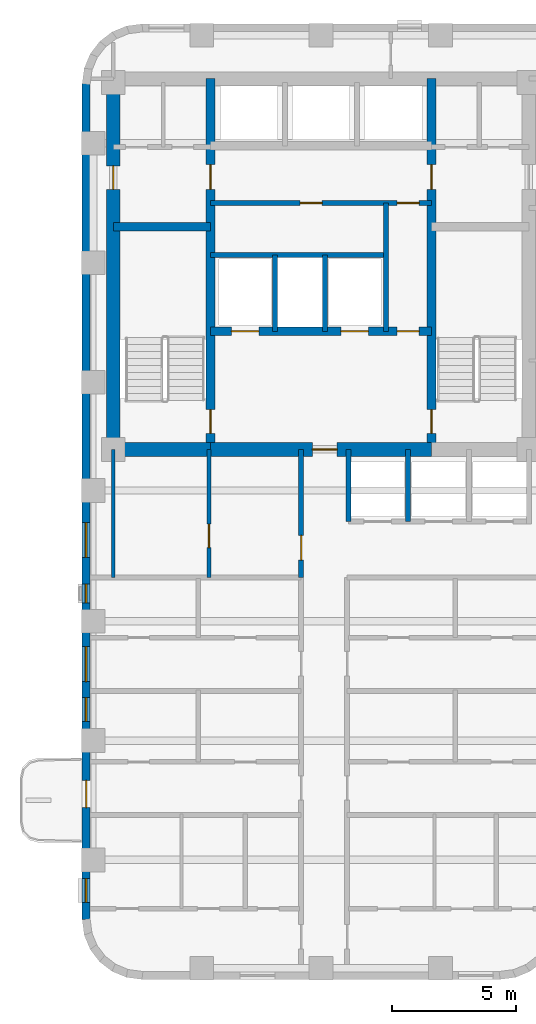
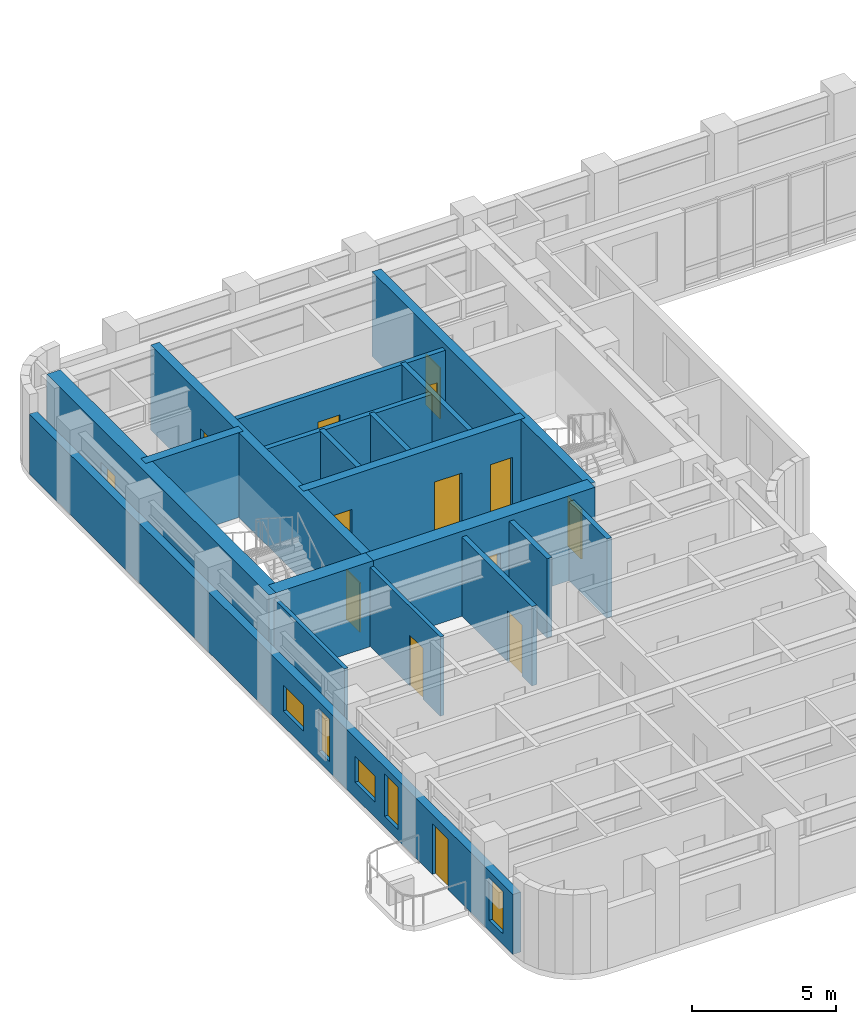
# One storey, part 5 of 11: 18 walls, 14 doors, 5 windows, 19 openings.
"""IFC4 building model written with IfcOpenShell, lengths in metres."""

import ifcopenshell
import ifcopenshell.guid

model = None  # the IFC model being written
_history = None  # IfcOwnerHistory: only IFC2X3 demands one
_inside = {}  # id of a spatial element -> (the spatial element, [elements in it])
_under = {}  # id of a project, library or spatial element -> (it, [spatial elements below it])
_declared = {}  # id of a project -> (the project, [libraries it declares])
_typed = {}  # id of a type object -> (the type object, [elements of that type])
_made_of = {}  # id of a material, layer set ... -> (it, [elements and type objects made of it])


def new_model(schema):
    """Start an empty IFC model of exactly this schema.

    Asked for "IFC4X3", IfcOpenShell would pick the latest addendum, in which some entities
    have other attributes; the version numbers below select the first issue.
    IFC2X3 requires an IfcOwnerHistory on every rooted entity: one is made here for all.
    """
    global model, _history
    if schema == "IFC4X3":
        model = ifcopenshell.file(schema_version=(4, 3, 0, 0))
    else:
        model = ifcopenshell.file(schema=schema)
    _inside.clear()
    _under.clear()
    _declared.clear()
    _typed.clear()
    _made_of.clear()
    _history = None
    if model.schema == "IFC2X3":
        org = make("IfcOrganization", Name="unknown")
        user = make(
            "IfcPersonAndOrganization",
            ThePerson=make("IfcPerson", FamilyName="unknown"),
            TheOrganization=org,
        )
        app = make(
            "IfcApplication",
            ApplicationDeveloper=org,
            Version="unknown",
            ApplicationFullName="unknown",
            ApplicationIdentifier="unknown",
        )
        _history = make(
            "IfcOwnerHistory",
            OwningUser=user,
            OwningApplication=app,
            ChangeAction="ADDED",
            CreationDate=0,
        )
    return model


def make(cls, **values):
    """One entity of the class cls with the attributes given. An attribute that is None is left unset."""
    return model.create_entity(
        cls, **{name: value for name, value in values.items() if value is not None}
    )


def rooted(cls, **values):
    """An entity with a GlobalId (a new one), such as an element, a storey or a relation."""
    return make(cls, GlobalId=ifcopenshell.guid.new(), OwnerHistory=_history, **values)


def si_unit(unit_type, name, prefix=None):
    """IfcSIUnit, for example si_unit("LENGTHUNIT", "METRE", prefix="MILLI")."""
    return make("IfcSIUnit", UnitType=unit_type, Prefix=prefix, Name=name)


def assignment(units):
    """IfcUnitAssignment: the units of a project."""
    return None if units is None else make("IfcUnitAssignment", Units=units)


def point(xyz):
    """IfcCartesianPoint."""
    return None if xyz is None else make("IfcCartesianPoint", Coordinates=xyz)


def direction(xyz):
    """IfcDirection."""
    return None if xyz is None else make("IfcDirection", DirectionRatios=xyz)


def frame(location, z_axis=None, x_axis=None):
    """IfcAxis2Placement3D, a coordinate frame: its origin and axes. An axis left out is left unset."""
    return make(
        "IfcAxis2Placement3D",
        Location=point(location),
        Axis=direction(z_axis),
        RefDirection=direction(x_axis),
    )


def frame_2d(location, x_axis=None):
    """IfcAxis2Placement2D, a coordinate frame in the plane: its origin and x axis."""
    return make(
        "IfcAxis2Placement2D", Location=point(location), RefDirection=direction(x_axis)
    )


def origin():
    """The frame at (0, 0, 0) with its axes left unset."""
    return frame((0.0, 0.0, 0.0))


def place(relative_to, where):
    """IfcLocalPlacement: puts the frame where relative to a parent placement (None: the world)."""
    return make(
        "IfcLocalPlacement", PlacementRelTo=relative_to, RelativePlacement=where
    )


def context(
    kind, dimensions, precision=None, world=None, true_north=None, identifier=None
):
    """IfcGeometricRepresentationContext, for example the 3D "Model" context."""
    return make(
        "IfcGeometricRepresentationContext",
        ContextIdentifier=identifier,
        ContextType=kind,
        CoordinateSpaceDimension=dimensions,
        Precision=precision,
        WorldCoordinateSystem=world,
        TrueNorth=true_north,
    )


def subcontext(parent, identifier, kind, view, scale=None):
    """IfcGeometricRepresentationSubContext, for example "Body" below "Model"."""
    return make(
        "IfcGeometricRepresentationSubContext",
        ContextIdentifier=identifier,
        ContextType=kind,
        ParentContext=parent,
        TargetScale=scale,
        TargetView=view,
    )


def project(units=None, contexts=None):
    """IfcProject with its units and contexts."""
    return rooted(
        "IfcProject",
        Name="project",
        RepresentationContexts=contexts,
        UnitsInContext=assignment(units),
    )


def spatial(cls, under=None, at=None, **own):
    """A site, building, storey or space (cls), placed at a placement, below another one or the project."""
    s = rooted(cls, ObjectPlacement=at, **own)
    if under is not None:
        _under.setdefault(under.id(), (under, []))[1].append(s)
    return s


def profile(cls, at=None, kind="AREA", **sizes):
    """A parametric profile (cls). Its sizes go by their IFC names, for example OverallWidth=200.0."""
    return make(cls, ProfileType=kind, Position=at, **sizes)


def rectangle(**sizes):
    """IfcRectangleProfileDef."""
    return profile("IfcRectangleProfileDef", **sizes)


def extrude(swept, where, along, depth):
    """IfcExtrudedAreaSolid: the profile swept, set in the frame where, extruded along a direction by depth."""
    return make(
        "IfcExtrudedAreaSolid",
        SweptArea=swept,
        Position=where,
        ExtrudedDirection=direction(along),
        Depth=depth,
    )


def shape(context_of_items, identifier, shape_type, items):
    """IfcShapeRepresentation: the items that make up one representation, for example the "Body"."""
    return make(
        "IfcShapeRepresentation",
        ContextOfItems=context_of_items,
        RepresentationIdentifier=identifier,
        RepresentationType=shape_type,
        Items=items,
    )


def material(Name=None, Category=None):
    """IfcMaterial."""
    return make("IfcMaterial", Name=Name, Category=Category)


def layer(
    of_material, thickness, ventilated=None, Name=None, Category=None, Priority=None
):
    """IfcMaterialLayer: one layer of a wall or slab, of a material (None: an air gap)."""
    return make(
        "IfcMaterialLayer",
        Material=of_material,
        LayerThickness=thickness,
        IsVentilated=ventilated,
        Name=Name,
        Category=Category,
        Priority=Priority,
    )


def layer_set(layers, Name=None):
    """IfcMaterialLayerSet."""
    return make("IfcMaterialLayerSet", MaterialLayers=layers, LayerSetName=Name)


def made_of(thing, what):
    """Note that an element or type object is made of a material, layer set ...; save() writes the relation."""
    if what is not None:
        _made_of.setdefault(what.id(), (what, []))[1].append(thing)
    return thing


def type_object(cls, material=None, **own):
    """A type object (cls), such as IfcWallType, which elements share."""
    return made_of(rooted(cls, **own), material)


def element(
    cls,
    number,
    at=None,
    inside=None,
    cuts=None,
    type_object=None,
    material=None,
    context=None,
    identifier="Body",
    shape_type=None,
    held_by="IfcProductDefinitionShape",
    body=None,
    shapes=None,
    **own,
):
    """One element of the class cls, such as IfcWall. Its Tag is "e" and its number.

    at: its placement. inside: the storey or other place that contains it. cuts: it is an
    opening in that element (IfcRelVoidsElement). A single representation is given by context,
    identifier, shape_type and body (its items); several are given by shapes. held_by: the class
    of the entity that holds the representations. save() writes the other relations.
    """
    e = rooted(cls, Tag="e%d" % number, ObjectPlacement=at, **own)
    if body is not None:
        shapes = [shape(context, identifier, shape_type, body)]
    if shapes is not None:
        e.Representation = make(held_by, Representations=shapes)
    if inside is not None:
        _inside.setdefault(inside.id(), (inside, []))[1].append(e)
    if cuts is not None:
        rooted(
            "IfcRelVoidsElement", RelatingBuildingElement=cuts, RelatedOpeningElement=e
        )
    if type_object is not None:
        _typed.setdefault(type_object.id(), (type_object, []))[1].append(e)
    return made_of(e, material)


def fill(opening, filler):
    """IfcRelFillsElement: the door or window that sits in an opening."""
    return rooted(
        "IfcRelFillsElement",
        RelatingOpeningElement=opening,
        RelatedBuildingElement=filler,
    )


def aggregate(whole, parts):
    """IfcRelAggregates: a whole, such as a stair, and the parts it consists of."""
    return rooted("IfcRelAggregates", RelatingObject=whole, RelatedObjects=parts)


def save(model, path):
    """Write the relations noted so far, then the file.

    IfcRelAggregates (storeys below a building ...), IfcRelContainedInSpatialStructure (elements
    in a storey), IfcRelDefinesByType, IfcRelAssociatesMaterial and IfcRelDeclares: one each for
    every whole, place, type object, material and project.
    """
    for whole, parts in _under.values():
        aggregate(whole, parts)
    for where, things in _inside.values():
        rooted(
            "IfcRelContainedInSpatialStructure",
            RelatedElements=things,
            RelatingStructure=where,
        )
    for kind, things in _typed.values():
        rooted("IfcRelDefinesByType", RelatedObjects=things, RelatingType=kind)
    for what, things in _made_of.values():
        rooted("IfcRelAssociatesMaterial", RelatedObjects=things, RelatingMaterial=what)
    for by, libraries in _declared.values():
        rooted("IfcRelDeclares", RelatingContext=by, RelatedDefinitions=libraries)
    model.write(path)


model = new_model("IFC4")

# Units and contexts
model_context = context("Model", 3, precision=1e-05, world=origin(), true_north=direction((0.0, 1.0)))
body_context = subcontext(model_context, "Body", "Model", "MODEL_VIEW")
ifc_project = project(units=[si_unit("LENGTHUNIT", "METRE"), si_unit("AREAUNIT", "SQUARE_METRE"), si_unit("VOLUMEUNIT", "CUBIC_METRE"), si_unit("PLANEANGLEUNIT", "RADIAN"), si_unit("MASSUNIT", "GRAM", prefix="KILO")], contexts=[model_context])

# Site, building, storey
site_placement = place(None, origin())
site = spatial("IfcSite", under=ifc_project, at=site_placement, CompositionType="ELEMENT")
building_placement = place(site_placement, origin())
building = spatial("IfcBuilding", under=site, at=building_placement, Name="Orvandelia Arch Residences", CompositionType="ELEMENT")
storey_placement = place(building_placement, frame((0.0, 0.0, 164.800048828125)))
storey = spatial("IfcBuildingStorey", under=building, at=storey_placement, Name="L43", CompositionType="ELEMENT", Elevation=164.800048828125)

# Wall, openings, doors
ifc_material_1 = material(Name="Concrete C50/60", Category="concrete")
ifc_layer_1 = layer(ifc_material_1, 0.35009765625, Name="Concrete C50/60", Category="concrete")
ifc_layer_set_1 = layer_set([ifc_layer_1], Name="Concrete C50/60")
wall_type_1 = type_object("IfcWallType", Name="WL-CORE-350", PredefinedType="SHEAR", material=ifc_layer_set_1)
wall_1_placement = place(storey_placement, frame((9.9599609375, 30.89990234375, 0.0), z_axis=(0.0, 0.0, 1.0), x_axis=(0.0, 1.0, 0.0)))
wall_1 = element("IfcWall", 1, at=wall_1_placement, inside=storey, type_object=wall_type_1, Name="Core Shear Wall L43-WEB1", PredefinedType="SHEAR", context=body_context, shape_type="SweptSolid", body=[
    extrude(rectangle(XDim=14.900146484375, YDim=0.35009765625, at=frame_2d((7.4501953125, 0.0))), origin(), (0.0, 0.0, 1.0), 3.599853515625),
])
opening_1_placement = place(wall_1_placement, frame((0.64990234375, 0.0, 0.0)))
opening_1 = element("IfcOpeningElement", 2, at=opening_1_placement, cuts=wall_1, Name="Opening D7", PredefinedType="OPENING", context=body_context, shape_type="SweptSolid", body=[
    extrude(rectangle(XDim=0.949951171875, YDim=2.10009765625, at=frame_2d((0.47509765625, 1.050048828125))), frame((0.0, 0.18505859375, 0.0), z_axis=(0.0, -1.0, 0.0), x_axis=(1.0, 0.0, 0.0)), (0.0, 0.0, 1.0), 0.3701171875),
])
opening_2_placement = place(wall_1_placement, frame((10.449951171875, 0.0, 0.0)))
opening_2 = element("IfcOpeningElement", 3, at=opening_2_placement, cuts=wall_1, Name="Opening D6", PredefinedType="OPENING", context=body_context, shape_type="SweptSolid", body=[
    extrude(rectangle(XDim=1.0, YDim=2.14990234375, at=frame_2d((0.5, 1.074951171875))), frame((0.0, 0.18505859375, 0.0), z_axis=(0.0, -1.0, 0.0), x_axis=(1.0, 0.0, 0.0)), (0.0, 0.0, 1.0), 0.3701171875),
])
ifc_material_2 = material(Name="Smokeproof Painted Steel Fire Door", Category="steel")
door_type_1 = type_object("IfcDoorType", Name="DR-FD60-1000", OperationType="NOTDEFINED", PredefinedType="DOOR", material=ifc_material_2)
door_1_placement = place(opening_2_placement, origin())
door_1 = element("IfcDoor", 4, at=door_1_placement, inside=storey, type_object=door_type_1, Name="High-Rise Lift Hall West Vestibule Door L43", OperationType="SINGLE_SWING_LEFT", OverallHeight=2.14990234375, OverallWidth=1.0, PredefinedType="DOOR", context=body_context, shape_type="SweptSolid", body=[
    extrude(rectangle(XDim=1.0, YDim=2.14990234375, at=frame_2d((0.5, 1.074951171875))), frame((0.0, 0.02490234375, 0.0), z_axis=(0.0, -1.0, 0.0), x_axis=(1.0, 0.0, 0.0)), (0.0, 0.0, 1.0), 0.050048828125),
])
fill(opening_2, door_1)
ifc_material_3 = material(Name="Pressurised Stairwell Fire Door")
door_type_2 = type_object("IfcDoorType", Name="DR-STAIR-950", OperationType="NOTDEFINED", PredefinedType="DOOR", material=ifc_material_3)
door_2_placement = place(opening_1_placement, origin())
door_2 = element("IfcDoor", 5, at=door_2_placement, inside=storey, type_object=door_type_2, Name="Stairwell ST-1 Fire Door L43", OperationType="SINGLE_SWING_LEFT", OverallHeight=2.10009765625, OverallWidth=0.949951171875, PredefinedType="DOOR", context=body_context, shape_type="SweptSolid", body=[
    extrude(rectangle(XDim=0.949951171875, YDim=2.10009765625, at=frame_2d((0.47509765625, 1.050048828125))), frame((0.0, 0.02490234375, 0.0), z_axis=(0.0, -1.0, 0.0), x_axis=(1.0, 0.0, 0.0)), (0.0, 0.0, 1.0), 0.050048828125),
])
fill(opening_1, door_2)

wall_2_placement = place(storey_placement, frame((18.840087890625, 30.89990234375, 0.0), z_axis=(0.0, 0.0, 1.0), x_axis=(0.0, 1.0, 0.0)))
wall_2 = element("IfcWall", 6, at=wall_2_placement, inside=storey, type_object=wall_type_1, Name="Core Shear Wall L43-WEB2", PredefinedType="SHEAR", context=body_context, shape_type="SweptSolid", body=[
    extrude(rectangle(XDim=14.900146484375, YDim=0.35009765625, at=frame_2d((7.4501953125, 0.0))), origin(), (0.0, 0.0, 1.0), 3.599853515625),
])
opening_3_placement = place(wall_2_placement, frame((0.64990234375, 0.0, 0.0)))
opening_3 = element("IfcOpeningElement", 7, at=opening_3_placement, cuts=wall_2, Name="Opening D7", PredefinedType="OPENING", context=body_context, shape_type="SweptSolid", body=[
    extrude(rectangle(XDim=0.949951171875, YDim=2.10009765625, at=frame_2d((0.47509765625, 1.050048828125))), frame((0.0, 0.18505859375, 0.0), z_axis=(0.0, -1.0, 0.0), x_axis=(1.0, 0.0, 0.0)), (0.0, 0.0, 1.0), 0.3701171875),
])
opening_4_placement = place(wall_2_placement, frame((10.449951171875, 0.0, 0.0)))
opening_4 = element("IfcOpeningElement", 8, at=opening_4_placement, cuts=wall_2, Name="Opening D6", PredefinedType="OPENING", context=body_context, shape_type="SweptSolid", body=[
    extrude(rectangle(XDim=1.0, YDim=2.14990234375, at=frame_2d((0.5, 1.074951171875))), frame((0.0, 0.18505859375, 0.0), z_axis=(0.0, -1.0, 0.0), x_axis=(1.0, 0.0, 0.0)), (0.0, 0.0, 1.0), 0.3701171875),
])
door_3_placement = place(opening_4_placement, origin())
door_3 = element("IfcDoor", 9, at=door_3_placement, inside=storey, type_object=door_type_1, Name="High-Rise Lift Hall East Vestibule Door L43", OperationType="SINGLE_SWING_RIGHT", OverallHeight=2.14990234375, OverallWidth=1.0, PredefinedType="DOOR", context=body_context, shape_type="SweptSolid", body=[
    extrude(rectangle(XDim=1.0, YDim=2.14990234375, at=frame_2d((0.5, 1.074951171875))), frame((0.0, 0.02490234375, 0.0), z_axis=(0.0, -1.0, 0.0), x_axis=(1.0, 0.0, 0.0)), (0.0, 0.0, 1.0), 0.050048828125),
])
fill(opening_4, door_3)
door_4_placement = place(opening_3_placement, origin())
door_4 = element("IfcDoor", 10, at=door_4_placement, inside=storey, type_object=door_type_2, Name="Stairwell ST-2 Fire Door L43", OperationType="SINGLE_SWING_RIGHT", OverallHeight=2.10009765625, OverallWidth=0.949951171875, PredefinedType="DOOR", context=body_context, shape_type="SweptSolid", body=[
    extrude(rectangle(XDim=0.949951171875, YDim=2.10009765625, at=frame_2d((0.47509765625, 1.050048828125))), frame((0.0, 0.02490234375, 0.0), z_axis=(0.0, -1.0, 0.0), x_axis=(1.0, 0.0, 0.0)), (0.0, 0.0, 1.0), 0.050048828125),
])
fill(opening_3, door_4)

# Wall
wall_3_placement = place(storey_placement, frame((6.050048828125, 39.85009765625, 0.0), z_axis=(0.0, 0.0, 1.0), x_axis=(1.0, 0.0, 0.0)))
element("IfcWall", 11, at=wall_3_placement, inside=storey, type_object=wall_type_1, Name="Core Shear Wall L43-HZ1", PredefinedType="SHEAR", context=body_context, shape_type="SweptSolid", body=[
    extrude(rectangle(XDim=3.909912109375, YDim=0.35009765625, at=frame_2d((1.955078125, 0.0))), origin(), (0.0, 0.0, 1.0), 3.599853515625),
])

# Wall, openings, doors
wall_4_placement = place(storey_placement, frame((9.9599609375, 35.64990234375, 0.0), z_axis=(0.0, 0.0, 1.0), x_axis=(1.0, 0.0, 0.0)))
wall_4 = element("IfcWall", 12, at=wall_4_placement, inside=storey, type_object=wall_type_1, Name="Core Shear Wall L43-HZ3", PredefinedType="SHEAR", context=body_context, shape_type="SweptSolid", body=[
    extrude(rectangle(XDim=8.880126953125, YDim=0.35009765625, at=frame_2d((4.43994140625, 0.0))), origin(), (0.0, 0.0, 1.0), 3.599853515625),
])
opening_5_placement = place(wall_4_placement, frame((0.840087890625, 0.0, 0.0)))
opening_5 = element("IfcOpeningElement", 13, at=opening_5_placement, cuts=wall_4, Name="Opening FLD", PredefinedType="OPENING", context=body_context, shape_type="SweptSolid", body=[
    extrude(rectangle(XDim=1.10009765625, YDim=2.14990234375, at=frame_2d((0.550048828125, 1.074951171875))), frame((0.0, 0.18505859375, 0.0), z_axis=(0.0, -1.0, 0.0), x_axis=(1.0, 0.0, 0.0)), (0.0, 0.0, 1.0), 0.3701171875),
])
opening_6_placement = place(wall_4_placement, frame((5.239990234375, 0.0, 0.0)))
opening_6 = element("IfcOpeningElement", 14, at=opening_6_placement, cuts=wall_4, Name="Opening FLD", PredefinedType="OPENING", context=body_context, shape_type="SweptSolid", body=[
    extrude(rectangle(XDim=1.10009765625, YDim=2.14990234375, at=frame_2d((0.550048828125, 1.074951171875))), frame((0.0, 0.18505859375, 0.0), z_axis=(0.0, -1.0, 0.0), x_axis=(1.0, 0.0, 0.0)), (0.0, 0.0, 1.0), 0.3701171875),
])
opening_7_placement = place(wall_4_placement, frame((7.5, 0.0, 0.0)))
opening_7 = element("IfcOpeningElement", 15, at=opening_7_placement, cuts=wall_4, Name="Opening D5", PredefinedType="OPENING", context=body_context, shape_type="SweptSolid", body=[
    extrude(rectangle(XDim=0.8798828125, YDim=2.10009765625, at=frame_2d((0.43994140625, 1.050048828125))), frame((0.0, 0.18505859375, 0.0), z_axis=(0.0, -1.0, 0.0), x_axis=(1.0, 0.0, 0.0)), (0.0, 0.0, 1.0), 0.3701171875),
])
ifc_material_4 = material(Name="Firefighting Lift Stainless Sliding Door")
door_type_3 = type_object("IfcDoorType", Name="DR-FLFT-1100", OperationType="NOTDEFINED", PredefinedType="DOOR", material=ifc_material_4)
door_5_placement = place(opening_5_placement, origin())
door_5 = element("IfcDoor", 16, at=door_5_placement, inside=storey, type_object=door_type_3, Name="Firefighting Lift Landing Door FLD-FL1-L43", OperationType="SLIDING_TO_LEFT", OverallHeight=2.14990234375, OverallWidth=1.10009765625, PredefinedType="DOOR", context=body_context, shape_type="SweptSolid", body=[
    extrude(rectangle(XDim=1.10009765625, YDim=2.14990234375, at=frame_2d((0.550048828125, 1.074951171875))), frame((0.0, 0.02490234375, 0.0), z_axis=(0.0, -1.0, 0.0), x_axis=(1.0, 0.0, 0.0)), (0.0, 0.0, 1.0), 0.050048828125),
])
fill(opening_5, door_5)
door_6_placement = place(opening_6_placement, origin())
door_6 = element("IfcDoor", 17, at=door_6_placement, inside=storey, type_object=door_type_3, Name="Firefighting Lift Landing Door FLD-FL2-L43", OperationType="SLIDING_TO_RIGHT", OverallHeight=2.14990234375, OverallWidth=1.10009765625, PredefinedType="DOOR", context=body_context, shape_type="SweptSolid", body=[
    extrude(rectangle(XDim=1.10009765625, YDim=2.14990234375, at=frame_2d((0.550048828125, 1.074951171875))), frame((0.0, 0.02490234375, 0.0), z_axis=(0.0, -1.0, 0.0), x_axis=(1.0, 0.0, 0.0)), (0.0, 0.0, 1.0), 0.050048828125),
])
fill(opening_6, door_6)
ifc_material_5 = material(Name="Painted Galvanised Steel Service Door", Category="steel")
door_type_4 = type_object("IfcDoorType", Name="DR-SRV-880", OperationType="NOTDEFINED", PredefinedType="DOOR", material=ifc_material_5)
door_7_placement = place(opening_7_placement, origin())
door_7 = element("IfcDoor", 18, at=door_7_placement, inside=storey, type_object=door_type_4, Name="Core Stairway Passage South Fire Door L43", OperationType="SINGLE_SWING_LEFT", OverallHeight=2.10009765625, OverallWidth=0.8798828125, PredefinedType="DOOR", context=body_context, shape_type="SweptSolid", body=[
    extrude(rectangle(XDim=0.8798828125, YDim=2.10009765625, at=frame_2d((0.43994140625, 1.050048828125))), frame((0.0, 0.02490234375, 0.0), z_axis=(0.0, -1.0, 0.0), x_axis=(1.0, 0.0, 0.0)), (0.0, 0.0, 1.0), 0.050048828125),
])
fill(opening_7, door_7)

# Wall, opening, door
ifc_material_6 = material(Name="Concrete C60/75", Category="concrete")
ifc_layer_2 = layer(ifc_material_6, 0.550048828125, Name="Concrete C60/75", Category="concrete")
ifc_layer_set_2 = layer_set([ifc_layer_2], Name="Concrete C60/75")
wall_type_2 = type_object("IfcWallType", Name="WL-CORE-550", PredefinedType="SHEAR", material=ifc_layer_set_2)
wall_5_placement = place(storey_placement, frame((6.050048828125, 30.625, 0.0), z_axis=(0.0, 0.0, 1.0), x_axis=(0.0, 1.0, 0.0)))
wall_5 = element("IfcWall", 19, at=wall_5_placement, inside=storey, type_object=wall_type_2, Name="Core Shear Wall L43-W", PredefinedType="SHEAR", context=body_context, shape_type="SweptSolid", body=[
    extrude(rectangle(XDim=15.449951171875, YDim=0.550048828125, at=frame_2d((7.72509765625, 0.0))), origin(), (0.0, 0.0, 1.0), 3.599853515625),
])
opening_8_placement = place(wall_5_placement, frame((10.72509765625, 0.0, 0.0)))
opening_8 = element("IfcOpeningElement", 20, at=opening_8_placement, cuts=wall_5, Name="Opening D2", PredefinedType="OPENING", context=body_context, shape_type="SweptSolid", body=[
    extrude(rectangle(XDim=0.949951171875, YDim=2.14990234375, at=frame_2d((0.47509765625, 1.074951171875))), frame((0.0, 0.28515625, 0.0), z_axis=(0.0, -1.0, 0.0), x_axis=(1.0, 0.0, 0.0)), (0.0, 0.0, 1.0), 0.570068359375),
])
ifc_material_7 = material(Name="Solid-Core Timber Interior Fire Door", Category="wood")
door_type_5 = type_object("IfcDoorType", Name="DR-APT-950", OperationType="NOTDEFINED", PredefinedType="DOOR", material=ifc_material_7)
door_8_placement = place(opening_8_placement, origin())
door_8 = element("IfcDoor", 21, at=door_8_placement, inside=storey, type_object=door_type_5, Name="West Viewing Study Door L43", OperationType="SINGLE_SWING_RIGHT", OverallHeight=2.14990234375, OverallWidth=0.949951171875, PredefinedType="DOOR", context=body_context, shape_type="SweptSolid", body=[
    extrude(rectangle(XDim=0.949951171875, YDim=2.14990234375, at=frame_2d((0.47509765625, 1.074951171875))), frame((0.0, 0.02490234375, 0.0), z_axis=(0.0, -1.0, 0.0), x_axis=(1.0, 0.0, 0.0)), (0.0, 0.0, 1.0), 0.050048828125),
])
fill(opening_8, door_8)

# Wall
wall_6_placement = place(storey_placement, frame((6.050048828125, 30.89990234375, 0.0), z_axis=(0.0, 0.0, 1.0), x_axis=(1.0, 0.0, 0.0)))
element("IfcWall", 22, at=wall_6_placement, inside=storey, type_object=wall_type_2, Name="Core Shear Wall L43-SW", PredefinedType="SHEAR", context=body_context, shape_type="SweptSolid", body=[
    extrude(rectangle(XDim=3.909912109375, YDim=0.550048828125, at=frame_2d((1.955078125, 0.0))), origin(), (0.0, 0.0, 1.0), 3.599853515625),
])

# Wall, opening, door
wall_7_placement = place(storey_placement, frame((9.9599609375, 30.89990234375, 0.0), z_axis=(0.0, 0.0, 1.0), x_axis=(1.0, 0.0, 0.0)))
wall_7 = element("IfcWall", 23, at=wall_7_placement, inside=storey, type_object=wall_type_2, Name="Core Shear Wall L43-SM", PredefinedType="SHEAR", context=body_context, shape_type="SweptSolid", body=[
    extrude(rectangle(XDim=8.880126953125, YDim=0.550048828125, at=frame_2d((4.43994140625, 0.0))), origin(), (0.0, 0.0, 1.0), 3.599853515625),
])
opening_9_placement = place(wall_7_placement, frame((4.090087890625, 0.0, 0.0)))
opening_9 = element("IfcOpeningElement", 24, at=opening_9_placement, cuts=wall_7, Name="Opening D6", PredefinedType="OPENING", context=body_context, shape_type="SweptSolid", body=[
    extrude(rectangle(XDim=1.0, YDim=2.14990234375, at=frame_2d((0.5, 1.074951171875))), frame((0.0, 0.28515625, 0.0), z_axis=(0.0, -1.0, 0.0), x_axis=(1.0, 0.0, 0.0)), (0.0, 0.0, 1.0), 0.570068359375),
])
door_9_placement = place(opening_9_placement, origin())
door_9 = element("IfcDoor", 25, at=door_9_placement, inside=storey, type_object=door_type_1, Name="Firefighting Lobby Smokeproof Door L43", OperationType="SINGLE_SWING_LEFT", OverallHeight=2.14990234375, OverallWidth=1.0, PredefinedType="DOOR", context=body_context, shape_type="SweptSolid", body=[
    extrude(rectangle(XDim=1.0, YDim=2.14990234375, at=frame_2d((0.5, 1.074951171875))), frame((0.0, 0.02490234375, 0.0), z_axis=(0.0, -1.0, 0.0), x_axis=(1.0, 0.0, 0.0)), (0.0, 0.0, 1.0), 0.050048828125),
])
fill(opening_9, door_9)

# Wall, openings, door, windows
ifc_material_8 = material(Name="Precast concrete C40/50", Category="concrete")
ifc_layer_3 = layer(ifc_material_8, 0.320068359375, Name="Precast concrete C40/50", Category="concrete")
ifc_layer_set_3 = layer_set([ifc_layer_3], Name="Precast concrete C40/50")
wall_type_3 = type_object("IfcWallType", Name="WL-EXT-STONE-320", PredefinedType="STANDARD", material=ifc_layer_set_3)
wall_8_placement = place(storey_placement, frame((4.9599609375, 12.0, 0.0), z_axis=(0.0, 0.0, 1.0), x_axis=(0.0, 1.0, 0.0)))
wall_8 = element("IfcWall", 26, at=wall_8_placement, inside=storey, type_object=wall_type_3, Name="Coral-Limestone Precast Facade Wall L43-046", PredefinedType="STANDARD", context=body_context, shape_type="SweptSolid", body=[
    extrude(rectangle(XDim=33.60009765625, YDim=0.320068359375, at=frame_2d((16.800048828125, 0.0))), origin(), (0.0, 0.0, 1.0), 2.5400390625),
])
opening_10_placement = place(wall_8_placement, frame((4.5, 0.0, 0.0)))
opening_10 = element("IfcOpeningElement", 27, at=opening_10_placement, cuts=wall_8, Name="Opening BD1", PredefinedType="OPENING", context=body_context, shape_type="SweptSolid", body=[
    extrude(rectangle(XDim=1.10009765625, YDim=2.14990234375, at=frame_2d((0.550048828125, 1.074951171875))), frame((0.0, 0.169921875, 0.0), z_axis=(0.0, -1.0, 0.0), x_axis=(1.0, 0.0, 0.0)), (0.0, 0.0, 1.0), 0.340087890625),
])
opening_11_placement = place(wall_8_placement, frame((0.699462890625, 0.0, 0.449951171875)))
opening_11 = element("IfcOpeningElement", 28, at=opening_11_placement, cuts=wall_8, Name="Opening W4", PredefinedType="OPENING", context=body_context, shape_type="SweptSolid", body=[
    extrude(rectangle(XDim=0.949951171875, YDim=1.800048828125, at=frame_2d((0.47509765625, 0.89990234375))), frame((0.0, 0.169921875, 0.0), z_axis=(0.0, -1.0, 0.0), x_axis=(1.0, 0.0, 0.0)), (0.0, 0.0, 1.0), 0.340087890625),
])
opening_12_placement = place(wall_8_placement, frame((9.570068359375, 0.0, 0.64990234375)))
opening_12 = element("IfcOpeningElement", 29, at=opening_12_placement, cuts=wall_8, Name="Opening W10", PredefinedType="OPENING", context=body_context, shape_type="SweptSolid", body=[
    extrude(rectangle(XDim=1.39990234375, YDim=1.10009765625, at=frame_2d((0.699951171875, 0.550048828125))), frame((0.0, 0.169921875, 0.0), z_axis=(0.0, -1.0, 0.0), x_axis=(1.0, 0.0, 0.0)), (0.0, 0.0, 1.0), 0.340087890625),
])
opening_13_placement = place(wall_8_placement, frame((7.972412109375, 0.0, 0.449951171875)))
opening_13 = element("IfcOpeningElement", 30, at=opening_13_placement, cuts=wall_8, Name="Opening W4", PredefinedType="OPENING", context=body_context, shape_type="SweptSolid", body=[
    extrude(rectangle(XDim=0.949951171875, YDim=1.800048828125, at=frame_2d((0.47509765625, 0.89990234375))), frame((0.0, 0.169921875, 0.0), z_axis=(0.0, -1.0, 0.0), x_axis=(1.0, 0.0, 0.0)), (0.0, 0.0, 1.0), 0.340087890625),
])
opening_14_placement = place(wall_8_placement, frame((12.732421875, 0.0, 0.449951171875)))
opening_14 = element("IfcOpeningElement", 31, at=opening_14_placement, cuts=wall_8, Name="Opening W11", PredefinedType="OPENING", context=body_context, shape_type="SweptSolid", body=[
    extrude(rectangle(XDim=0.75, YDim=1.800048828125, at=frame_2d((0.375, 0.89990234375))), frame((0.0, 0.169921875, 0.0), z_axis=(0.0, -1.0, 0.0), x_axis=(1.0, 0.0, 0.0)), (0.0, 0.0, 1.0), 0.340087890625),
])
opening_15_placement = place(wall_8_placement, frame((14.5576171875, 0.0, 0.64990234375)))
opening_15 = element("IfcOpeningElement", 32, at=opening_15_placement, cuts=wall_8, Name="Opening W10", PredefinedType="OPENING", context=body_context, shape_type="SweptSolid", body=[
    extrude(rectangle(XDim=1.39990234375, YDim=1.10009765625, at=frame_2d((0.699951171875, 0.550048828125))), frame((0.0, 0.169921875, 0.0), z_axis=(0.0, -1.0, 0.0), x_axis=(1.0, 0.0, 0.0)), (0.0, 0.0, 1.0), 0.340087890625),
])
ifc_material_9 = material(Name="Thermally Broken Aluminium Glazed Door", Category="aluminium")
door_type_6 = type_object("IfcDoorType", Name="DR-BAL-GLAZ-1100", OperationType="NOTDEFINED", PredefinedType="DOOR", material=ifc_material_9)
door_10_placement = place(opening_10_placement, origin())
door_10 = element("IfcDoor", 33, at=door_10_placement, inside=storey, type_object=door_type_6, Name="Tree Balcony Glazed Door BAL-L43-W1", OperationType="SINGLE_SWING_RIGHT", OverallHeight=2.14990234375, OverallWidth=1.10009765625, PredefinedType="DOOR", context=body_context, shape_type="SweptSolid", body=[
    extrude(rectangle(XDim=1.10009765625, YDim=2.14990234375, at=frame_2d((0.550048828125, 1.074951171875))), frame((0.0, 0.02490234375, 0.0), z_axis=(0.0, -1.0, 0.0), x_axis=(1.0, 0.0, 0.0)), (0.0, 0.0, 1.0), 0.050048828125),
])
fill(opening_10, door_10)
ifc_material_10 = material(Name="Tempered Low-E Insulated Glazing", Category="glass")
window_type_1 = type_object("IfcWindowType", Name="WIN-BED-0750x1800", PartitioningType="SINGLE_PANEL", PredefinedType="WINDOW", material=ifc_material_10)
window_1_placement = place(opening_14_placement, origin())
window_1 = element("IfcWindow", 34, at=window_1_placement, inside=storey, type_object=window_type_1, Name="Recessed Punched Window L43-027", OverallHeight=1.800048828125, OverallWidth=0.75, PartitioningType="SINGLE_PANEL", PredefinedType="WINDOW", context=body_context, shape_type="SweptSolid", body=[
    extrude(rectangle(XDim=0.75, YDim=1.800048828125, at=frame_2d((0.375, 0.89990234375))), frame((0.0, 0.030029296875, 0.0), z_axis=(0.0, -1.0, 0.0), x_axis=(1.0, 0.0, 0.0)), (0.0, 0.0, 1.0), 0.06005859375),
])
fill(opening_14, window_1)
window_type_2 = type_object("IfcWindowType", Name="WIN-CLR-1400x1100", PartitioningType="SINGLE_PANEL", PredefinedType="WINDOW", material=ifc_material_10)
window_2_placement = place(opening_12_placement, origin())
window_2 = element("IfcWindow", 35, at=window_2_placement, inside=storey, type_object=window_type_2, Name="Recessed Punched Window L43-025", OverallHeight=1.10009765625, OverallWidth=1.39990234375, PartitioningType="SINGLE_PANEL", PredefinedType="WINDOW", context=body_context, shape_type="SweptSolid", body=[
    extrude(rectangle(XDim=1.39990234375, YDim=1.10009765625, at=frame_2d((0.699951171875, 0.550048828125))), frame((0.0, 0.030029296875, 0.0), z_axis=(0.0, -1.0, 0.0), x_axis=(1.0, 0.0, 0.0)), (0.0, 0.0, 1.0), 0.06005859375),
])
fill(opening_12, window_2)
window_3_placement = place(opening_15_placement, origin())
window_3 = element("IfcWindow", 36, at=window_3_placement, inside=storey, type_object=window_type_2, Name="Recessed Punched Window L43-028", OverallHeight=1.10009765625, OverallWidth=1.39990234375, PartitioningType="SINGLE_PANEL", PredefinedType="WINDOW", context=body_context, shape_type="SweptSolid", body=[
    extrude(rectangle(XDim=1.39990234375, YDim=1.10009765625, at=frame_2d((0.699951171875, 0.550048828125))), frame((0.0, 0.030029296875, 0.0), z_axis=(0.0, -1.0, 0.0), x_axis=(1.0, 0.0, 0.0)), (0.0, 0.0, 1.0), 0.06005859375),
])
fill(opening_15, window_3)
window_type_3 = type_object("IfcWindowType", Name="WIN-RES-0950x1800", PartitioningType="SINGLE_PANEL", PredefinedType="WINDOW", material=ifc_material_10)
window_4_placement = place(opening_11_placement, origin())
window_4 = element("IfcWindow", 37, at=window_4_placement, inside=storey, type_object=window_type_3, Name="Recessed Punched Window L43-024", OverallHeight=1.800048828125, OverallWidth=0.949951171875, PartitioningType="SINGLE_PANEL", PredefinedType="WINDOW", context=body_context, shape_type="SweptSolid", body=[
    extrude(rectangle(XDim=0.949951171875, YDim=1.800048828125, at=frame_2d((0.47509765625, 0.89990234375))), frame((0.0, 0.030029296875, 0.0), z_axis=(0.0, -1.0, 0.0), x_axis=(1.0, 0.0, 0.0)), (0.0, 0.0, 1.0), 0.06005859375),
])
fill(opening_11, window_4)
window_5_placement = place(opening_13_placement, origin())
window_5 = element("IfcWindow", 38, at=window_5_placement, inside=storey, type_object=window_type_3, Name="Recessed Punched Window L43-026", OverallHeight=1.800048828125, OverallWidth=0.949951171875, PartitioningType="SINGLE_PANEL", PredefinedType="WINDOW", context=body_context, shape_type="SweptSolid", body=[
    extrude(rectangle(XDim=0.949951171875, YDim=1.800048828125, at=frame_2d((0.47509765625, 0.89990234375))), frame((0.0, 0.030029296875, 0.0), z_axis=(0.0, -1.0, 0.0), x_axis=(1.0, 0.0, 0.0)), (0.0, 0.0, 1.0), 0.06005859375),
])
fill(opening_13, window_5)

# Wall
ifc_material_11 = material(Name="Acoustic Gypsum Stud Partition")
ifc_layer_4 = layer(ifc_material_11, 0.14990234375, Name="Acoustic Gypsum Stud Partition")
ifc_layer_set_4 = layer_set([ifc_layer_4], Name="Acoustic Gypsum Stud Partition")
wall_type_4 = type_object("IfcWallType", Name="WL-PART-150", PredefinedType="PARTITIONING", material=ifc_layer_set_4)
wall_9_placement = place(storey_placement, frame((6.050048828125, 25.75, 0.0), z_axis=(0.0, 0.0, 1.0), x_axis=(0.0, 1.0, 0.0)))
element("IfcWall", 39, at=wall_9_placement, inside=storey, type_object=wall_type_4, Name="Interior Partition Wall WL-L43-B1REUSE-W", PredefinedType="PARTITIONING", context=body_context, shape_type="SweptSolid", body=[
    extrude(rectangle(XDim=5.14990234375, YDim=0.14990234375, at=frame_2d((2.574951171875, 0.0))), origin(), (0.0, 0.0, 1.0), 3.35986328125),
])

# Wall, opening, door
wall_10_placement = place(storey_placement, frame((9.89990234375, 25.75, 0.0), z_axis=(0.0, 0.0, 1.0), x_axis=(0.0, 1.0, 0.0)))
wall_10 = element("IfcWall", 40, at=wall_10_placement, inside=storey, type_object=wall_type_4, Name="Interior Partition Wall WL-L43-B1R-M", PredefinedType="PARTITIONING", context=body_context, shape_type="SweptSolid", body=[
    extrude(rectangle(XDim=5.14990234375, YDim=0.14990234375, at=frame_2d((2.574951171875, 0.0))), origin(), (0.0, 0.0, 1.0), 3.35986328125),
])
opening_16_placement = place(wall_10_placement, frame((1.199951171875, 0.0, 0.0)))
opening_16 = element("IfcOpeningElement", 41, at=opening_16_placement, cuts=wall_10, Name="Opening D2", PredefinedType="OPENING", context=body_context, shape_type="SweptSolid", body=[
    extrude(rectangle(XDim=0.949951171875, YDim=2.14990234375, at=frame_2d((0.47509765625, 1.074951171875))), frame((0.0, 0.0849609375, 0.0), z_axis=(0.0, -1.0, 0.0), x_axis=(1.0, 0.0, 0.0)), (0.0, 0.0, 1.0), 0.169921875),
])
door_11_placement = place(opening_16_placement, origin())
door_11 = element("IfcDoor", 42, at=door_11_placement, inside=storey, type_object=door_type_5, Name="DR-L43-B1RA", OperationType="SINGLE_SWING_RIGHT", OverallHeight=2.14990234375, OverallWidth=0.949951171875, PredefinedType="DOOR", context=body_context, shape_type="SweptSolid", body=[
    extrude(rectangle(XDim=0.949951171875, YDim=2.14990234375, at=frame_2d((0.47509765625, 1.074951171875))), frame((0.0, 0.02490234375, 0.0), z_axis=(0.0, -1.0, 0.0), x_axis=(1.0, 0.0, 0.0)), (0.0, 0.0, 1.0), 0.050048828125),
])
fill(opening_16, door_11)

# Walls
ifc_material_12 = material(Name="Fire-Rated Shaft Enclosure Wall")
ifc_layer_5 = layer(ifc_material_12, 0.199951171875, Name="Fire-Rated Shaft Enclosure Wall")
ifc_layer_set_5 = layer_set([ifc_layer_5], Name="Fire-Rated Shaft Enclosure Wall")
wall_type_5 = type_object("IfcWallType", Name="WL-SHAFT-200", PredefinedType="POLYGONAL", material=ifc_layer_set_5)
wall_11_placement = place(storey_placement, frame((9.9599609375, 38.719970703125, 0.0), z_axis=(0.0, 0.0, 1.0), x_axis=(1.0, 0.0, 0.0)))
element("IfcWall", 43, at=wall_11_placement, inside=storey, type_object=wall_type_5, Name="Interior Partition Wall WL-L43-FLN", PredefinedType="POLYGONAL", context=body_context, shape_type="SweptSolid", body=[
    extrude(rectangle(XDim=7.06005859375, YDim=0.199951171875, at=frame_2d((3.530029296875, 0.0))), origin(), (0.0, 0.0, 1.0), 3.35986328125),
])
for number, where, z_axis, x_axis, name in (
    (44, (12.550048828125, 35.64990234375, 0.0), (0.0, 0.0, 1.0), (0.0, 1.0, 0.0), "Interior Partition Wall WL-L43-FLM1"),
    (45, (14.550048828125, 35.64990234375, 0.0), (0.0, 0.0, 1.0), (0.0, 1.0, 0.0), "Interior Partition Wall WL-L43-FLM2"),
):
    element("IfcWall", number, at=place(storey_placement, frame(where, z_axis=z_axis, x_axis=x_axis)), inside=storey, type_object=wall_type_5, Name=name, PredefinedType="POLYGONAL", context=body_context, shape_type="SweptSolid", body=[
        extrude(rectangle(XDim=3.070068359375, YDim=0.199951171875, at=frame_2d((1.53515625, 0.0))), origin(), (0.0, 0.0, 1.0), 3.35986328125),
    ])
wall_12_placement = place(storey_placement, frame((17.02001953125, 35.64990234375, 0.0), z_axis=(0.0, 0.0, 1.0), x_axis=(0.0, 1.0, 0.0)))
element("IfcWall", 46, at=wall_12_placement, inside=storey, type_object=wall_type_5, Name="Interior Partition Wall WL-L43-FLM3", PredefinedType="POLYGONAL", context=body_context, shape_type="SweptSolid", body=[
    extrude(rectangle(XDim=5.150146484375, YDim=0.199951171875, at=frame_2d((2.5751953125, 0.0))), origin(), (0.0, 0.0, 1.0), 3.35986328125),
])

# Wall, openings, doors
wall_13_placement = place(storey_placement, frame((9.9599609375, 40.800048828125, 0.0), z_axis=(0.0, 0.0, 1.0), x_axis=(1.0, 0.0, 0.0)))
wall_13 = element("IfcWall", 47, at=wall_13_placement, inside=storey, type_object=wall_type_5, Name="Interior Partition Wall WL-L43-HLH-S", PredefinedType="POLYGONAL", context=body_context, shape_type="SweptSolid", body=[
    extrude(rectangle(XDim=8.880126953125, YDim=0.199951171875, at=frame_2d((4.43994140625, 0.0))), origin(), (0.0, 0.0, 1.0), 3.35986328125),
])
opening_17_placement = place(wall_13_placement, frame((7.5, 0.0, 0.0)))
opening_17 = element("IfcOpeningElement", 48, at=opening_17_placement, cuts=wall_13, Name="Opening D5", PredefinedType="OPENING", context=body_context, shape_type="SweptSolid", body=[
    extrude(rectangle(XDim=0.8798828125, YDim=2.10009765625, at=frame_2d((0.43994140625, 1.050048828125))), frame((0.0, 0.10986328125, 0.0), z_axis=(0.0, -1.0, 0.0), x_axis=(1.0, 0.0, 0.0)), (0.0, 0.0, 1.0), 0.219970703125),
])
opening_18_placement = place(wall_13_placement, frame((3.60009765625, 0.0, 0.0)))
opening_18 = element("IfcOpeningElement", 49, at=opening_18_placement, cuts=wall_13, Name="Opening D5", PredefinedType="OPENING", context=body_context, shape_type="SweptSolid", body=[
    extrude(rectangle(XDim=0.8798828125, YDim=2.10009765625, at=frame_2d((0.43994140625, 1.050048828125))), frame((0.0, 0.10986328125, 0.0), z_axis=(0.0, -1.0, 0.0), x_axis=(1.0, 0.0, 0.0)), (0.0, 0.0, 1.0), 0.219970703125),
])
door_12_placement = place(opening_17_placement, origin())
door_12 = element("IfcDoor", 50, at=door_12_placement, inside=storey, type_object=door_type_4, Name="Core Stairway Passage North Fire Door L43", OperationType="SINGLE_SWING_RIGHT", OverallHeight=2.10009765625, OverallWidth=0.8798828125, PredefinedType="DOOR", context=body_context, shape_type="SweptSolid", body=[
    extrude(rectangle(XDim=0.8798828125, YDim=2.10009765625, at=frame_2d((0.43994140625, 1.050048828125))), frame((0.0, 0.02490234375, 0.0), z_axis=(0.0, -1.0, 0.0), x_axis=(1.0, 0.0, 0.0)), (0.0, 0.0, 1.0), 0.050048828125),
])
fill(opening_17, door_12)
door_13_placement = place(opening_18_placement, origin())
door_13 = element("IfcDoor", 51, at=door_13_placement, inside=storey, type_object=door_type_4, Name="DR-L43-CSA1", OperationType="SINGLE_SWING_LEFT", OverallHeight=2.10009765625, OverallWidth=0.8798828125, PredefinedType="DOOR", context=body_context, shape_type="SweptSolid", body=[
    extrude(rectangle(XDim=0.8798828125, YDim=2.10009765625, at=frame_2d((0.43994140625, 1.050048828125))), frame((0.0, 0.02490234375, 0.0), z_axis=(0.0, -1.0, 0.0), x_axis=(1.0, 0.0, 0.0)), (0.0, 0.0, 1.0), 0.050048828125),
])
fill(opening_18, door_13)

# Wall, opening, door
wall_14_placement = place(storey_placement, frame((13.60009765625, 25.75, 0.0), z_axis=(0.0, 0.0, 1.0), x_axis=(0.0, 1.0, 0.0)))
wall_14 = element("IfcWall", 52, at=wall_14_placement, inside=storey, type_object=wall_type_5, Name="Interior Partition Wall WL-L43-B1REUSE-E", PredefinedType="POLYGONAL", context=body_context, shape_type="SweptSolid", body=[
    extrude(rectangle(XDim=5.14990234375, YDim=0.199951171875, at=frame_2d((2.574951171875, 0.0))), origin(), (0.0, 0.0, 1.0), 3.35986328125),
])
opening_19_placement = place(wall_14_placement, frame((0.699951171875, 0.0, 0.0)))
opening_19 = element("IfcOpeningElement", 53, at=opening_19_placement, cuts=wall_14, Name="Opening D6", PredefinedType="OPENING", context=body_context, shape_type="SweptSolid", body=[
    extrude(rectangle(XDim=1.0, YDim=2.14990234375, at=frame_2d((0.5, 1.074951171875))), frame((0.0, 0.10986328125, 0.0), z_axis=(0.0, -1.0, 0.0), x_axis=(1.0, 0.0, 0.0)), (0.0, 0.0, 1.0), 0.219970703125),
])
door_14_placement = place(opening_19_placement, origin())
door_14 = element("IfcDoor", 54, at=door_14_placement, inside=storey, type_object=door_type_1, Name="DR-L43-B1RB", OperationType="SINGLE_SWING_LEFT", OverallHeight=2.14990234375, OverallWidth=1.0, PredefinedType="DOOR", context=body_context, shape_type="SweptSolid", body=[
    extrude(rectangle(XDim=1.0, YDim=2.14990234375, at=frame_2d((0.5, 1.074951171875))), frame((0.0, 0.02490234375, 0.0), z_axis=(0.0, -1.0, 0.0), x_axis=(1.0, 0.0, 0.0)), (0.0, 0.0, 1.0), 0.050048828125),
])
fill(opening_19, door_14)

# Walls
for number, where, z_axis, x_axis, name in (
    (55, (15.5, 28.0, 0.0), (0.0, 0.0, 1.0), (0.0, 1.0, 0.0), "Interior Partition Wall WL-L43-BNKM-W"),
    (56, (17.89990234375, 28.0, 0.0), (0.0, 0.0, 1.0), (0.0, 1.0, 0.0), "Interior Partition Wall WL-L43-BNKMD-1789"),
):
    element("IfcWall", number, at=place(storey_placement, frame(where, z_axis=z_axis, x_axis=x_axis)), inside=storey, type_object=wall_type_5, Name=name, PredefinedType="POLYGONAL", context=body_context, shape_type="SweptSolid", body=[
        extrude(rectangle(XDim=2.89990234375, YDim=0.199951171875, at=frame_2d((1.449951171875, 0.0))), origin(), (0.0, 0.0, 1.0), 3.35986328125),
    ])

save(model, "model.ifc")
